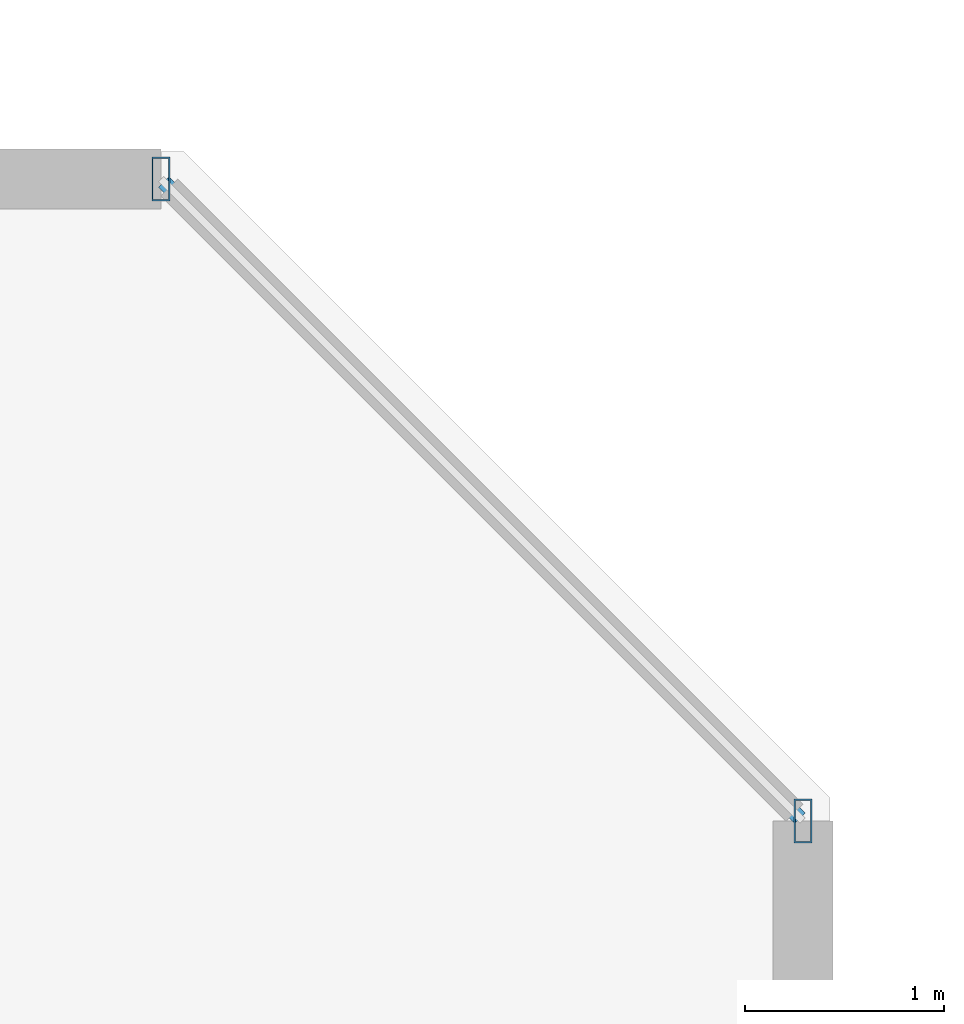
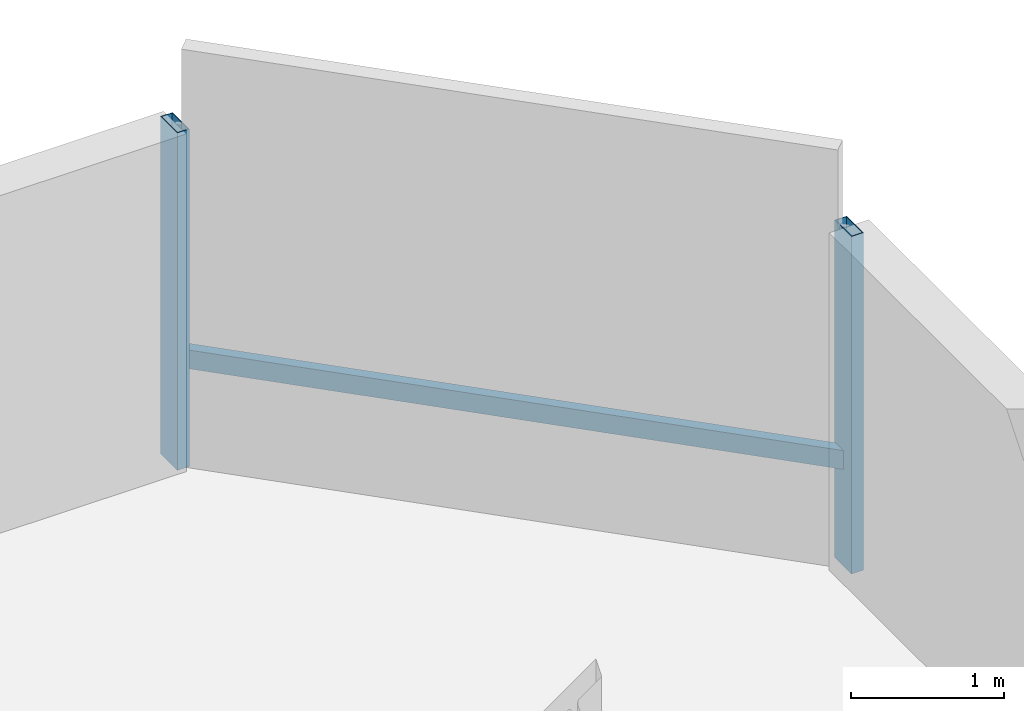
# One storey, part 10 of 34: 3 members, 1 element without a shape of its own.
"""IFC4 building model written with IfcOpenShell, lengths in metres."""

from ifc_helpers import new_model, si_unit, direction, frame, origin, origin_2d, place, context, subcontext, project, spatial, hollow_rectangle, extrude, material, material_profile, profile_set, type_object, element, aggregate, save


model = new_model("IFC4")

# Units and contexts
model_context = context("Model", 3, precision=1e-05, world=origin(), true_north=direction((0.0, 1.0)))
body_context = subcontext(model_context, "Body", "Model", "MODEL_VIEW")
ifc_project = project(units=[si_unit("LENGTHUNIT", "METRE"), si_unit("AREAUNIT", "SQUARE_METRE"), si_unit("VOLUMEUNIT", "CUBIC_METRE"), si_unit("PLANEANGLEUNIT", "RADIAN"), si_unit("MASSUNIT", "GRAM", prefix="KILO")], contexts=[model_context])

# Site, building, storey
site_placement = place(None, origin())
site = spatial("IfcSite", under=ifc_project, at=site_placement, CompositionType="ELEMENT")
building_placement = place(site_placement, origin())
building = spatial("IfcBuilding", under=site, at=building_placement, Name="Thornwick Lancets Civic Towers", CompositionType="ELEMENT")
storey_placement = place(building_placement, frame((0.0, 0.0, 60.89990234375)))
storey = spatial("IfcBuildingStorey", under=building, at=storey_placement, Name="L15", CompositionType="ELEMENT", Elevation=60.89990234375)

# Curtain wall, members
ifc_material_1 = material(Name="Low-zone chamfered-corner unitised glass curtain wall", Category="glass")
curtain_wall_type = type_object("IfcCurtainWallType", Name="CW_SYS_03", PredefinedType="NOTDEFINED", material=ifc_material_1)
curtain_wall_placement = place(storey_placement, origin())
curtain_wall = element("IfcCurtainWall", 1, at=curtain_wall_placement, inside=storey, type_object=curtain_wall_type, Name="L15 Curtain Wall CW-L15-A-E3", PredefinedType="NOTDEFINED")
ifc_material_2 = material(Name="Thermally broken bronze aluminium S355", Category="steel")
ifc_material_profile_1 = material_profile(ifc_material_2, hollow_rectangle(XDim=0.090087890625, YDim=0.219970703125, WallThickness=0.00634765625, at=origin_2d()), Name="RHS 220x90x6.3")
ifc_profile_set_1 = profile_set([ifc_material_profile_1], Name="Thermally broken bronze aluminium S355")
member_type_1 = type_object("IfcMemberType", Name="CW_MUL_220", PredefinedType="MULLION", material=ifc_profile_set_1)
member_1_placement = place(storey_placement, frame((49.7626953125, 42.028564453125, 0.0), z_axis=(0.0, 0.0, 1.0), x_axis=(1.0, 0.0, 0.0)))
member_1 = element("IfcMember", 2, at=member_1_placement, type_object=member_type_1, Name="CW-L15-A-E3 Mullion 0", PredefinedType="MULLION", context=body_context, shape_type="SweptSolid", body=[
    extrude(hollow_rectangle(XDim=0.090087890625, YDim=0.219970703125, WallThickness=0.00634765625, at=origin_2d()), origin(), (0.0, 0.0, 1.0), 2.7001953125),
])
member_2_placement = place(storey_placement, frame((46.528564453125, 45.2626953125, 0.0), z_axis=(0.0, 0.0, 1.0), x_axis=(1.0, 0.0, 0.0)))
member_2 = element("IfcMember", 3, at=member_2_placement, type_object=member_type_1, Name="CW-L15-A-E3 Mullion 1", PredefinedType="MULLION", context=body_context, shape_type="SweptSolid", body=[
    extrude(hollow_rectangle(XDim=0.090087890625, YDim=0.219970703125, WallThickness=0.00634765625, at=origin_2d()), origin(), (0.0, 0.0, 1.0), 2.7001953125),
])
ifc_material_profile_2 = material_profile(ifc_material_2, hollow_rectangle(XDim=0.074951171875, YDim=0.14990234375, WallThickness=0.0048828125, at=origin_2d()), Name="RHS 150x75x5")
ifc_profile_set_2 = profile_set([ifc_material_profile_2], Name="Thermally broken bronze aluminium S355")
member_type_2 = type_object("IfcMemberType", Name="CW_TRN_150", PredefinedType="USERDEFINED", material=ifc_profile_set_2)
member_3_placement = place(storey_placement, frame((49.74853515625, 42.042724609375, 0.85009765625), z_axis=(-0.707106781187, 0.707106781187, 0.0), x_axis=(-0.707106781187, -0.707106781187, 0.0)))
member_3 = element("IfcMember", 4, at=member_3_placement, type_object=member_type_2, Name="CW-L15-A-E3 Transom 0", ObjectType="TRANSOM", PredefinedType="USERDEFINED", context=body_context, shape_type="SweptSolid", body=[
    extrude(hollow_rectangle(XDim=0.074951171875, YDim=0.14990234375, WallThickness=0.0048828125, at=origin_2d()), origin(), (0.0, 0.0, 1.0), 4.53369140625),
])
aggregate(curtain_wall, [member_1, member_2, member_3])

save(model, "model.ifc")
